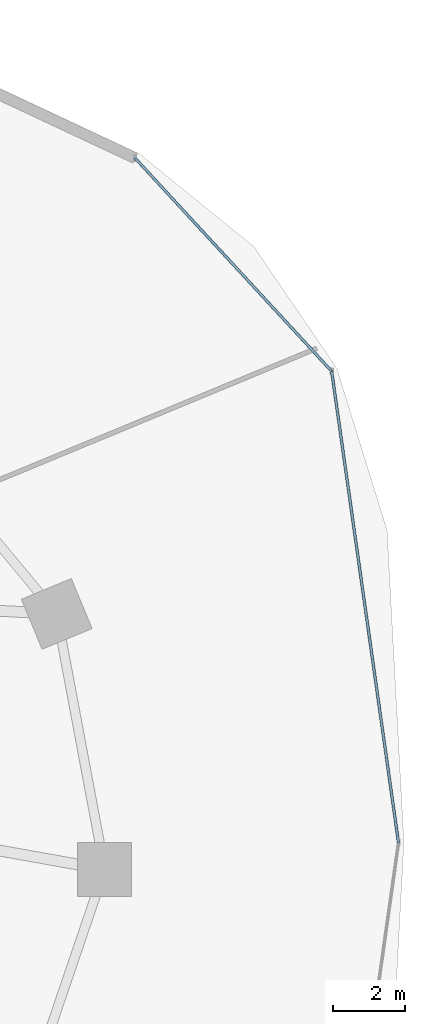
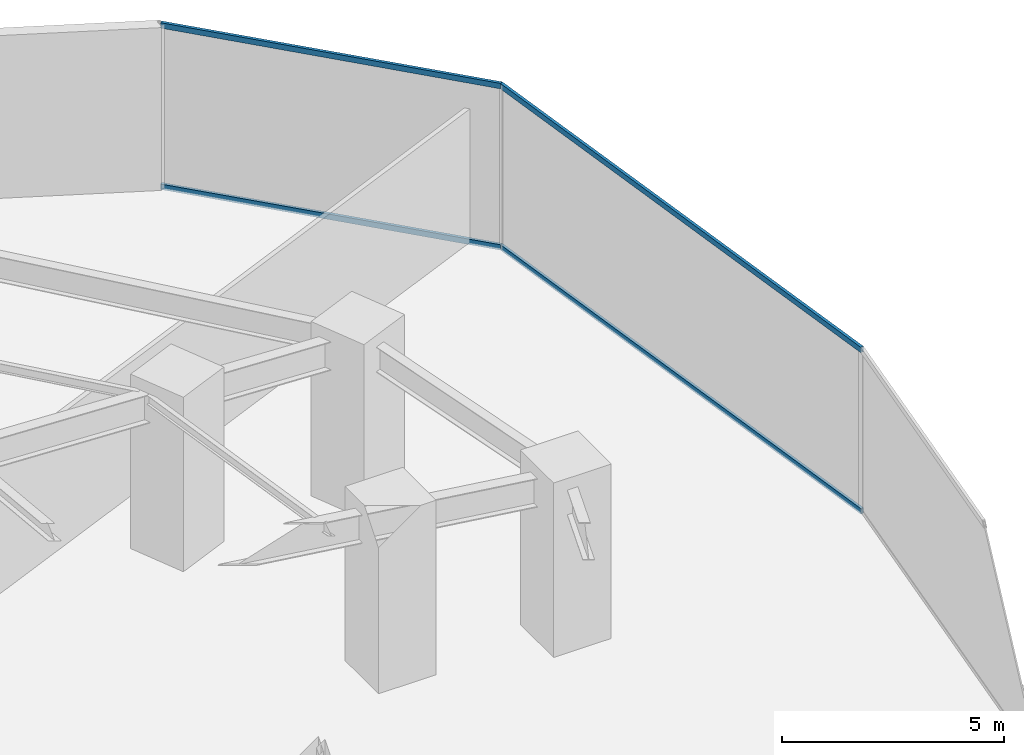
# One storey, part 19 of 27: 4 members, 1 element without a shape of its own.
"""IFC4 building model written with IfcOpenShell, lengths in metres."""

import ifcopenshell
import ifcopenshell.guid

model = None  # the IFC model being written
_history = None  # IfcOwnerHistory: only IFC2X3 demands one
_inside = {}  # id of a spatial element -> (the spatial element, [elements in it])
_under = {}  # id of a project, library or spatial element -> (it, [spatial elements below it])
_declared = {}  # id of a project -> (the project, [libraries it declares])
_typed = {}  # id of a type object -> (the type object, [elements of that type])
_made_of = {}  # id of a material, layer set ... -> (it, [elements and type objects made of it])


def new_model(schema):
    """Start an empty IFC model of exactly this schema.

    Asked for "IFC4X3", IfcOpenShell would pick the latest addendum, in which some entities
    have other attributes; the version numbers below select the first issue.
    IFC2X3 requires an IfcOwnerHistory on every rooted entity: one is made here for all.
    """
    global model, _history
    if schema == "IFC4X3":
        model = ifcopenshell.file(schema_version=(4, 3, 0, 0))
    else:
        model = ifcopenshell.file(schema=schema)
    _inside.clear()
    _under.clear()
    _declared.clear()
    _typed.clear()
    _made_of.clear()
    _history = None
    if model.schema == "IFC2X3":
        org = make("IfcOrganization", Name="unknown")
        user = make(
            "IfcPersonAndOrganization",
            ThePerson=make("IfcPerson", FamilyName="unknown"),
            TheOrganization=org,
        )
        app = make(
            "IfcApplication",
            ApplicationDeveloper=org,
            Version="unknown",
            ApplicationFullName="unknown",
            ApplicationIdentifier="unknown",
        )
        _history = make(
            "IfcOwnerHistory",
            OwningUser=user,
            OwningApplication=app,
            ChangeAction="ADDED",
            CreationDate=0,
        )
    return model


def make(cls, **values):
    """One entity of the class cls with the attributes given. An attribute that is None is left unset."""
    return model.create_entity(
        cls, **{name: value for name, value in values.items() if value is not None}
    )


def rooted(cls, **values):
    """An entity with a GlobalId (a new one), such as an element, a storey or a relation."""
    return make(cls, GlobalId=ifcopenshell.guid.new(), OwnerHistory=_history, **values)


def si_unit(unit_type, name, prefix=None):
    """IfcSIUnit, for example si_unit("LENGTHUNIT", "METRE", prefix="MILLI")."""
    return make("IfcSIUnit", UnitType=unit_type, Prefix=prefix, Name=name)


def assignment(units):
    """IfcUnitAssignment: the units of a project."""
    return None if units is None else make("IfcUnitAssignment", Units=units)


def point(xyz):
    """IfcCartesianPoint."""
    return None if xyz is None else make("IfcCartesianPoint", Coordinates=xyz)


def direction(xyz):
    """IfcDirection."""
    return None if xyz is None else make("IfcDirection", DirectionRatios=xyz)


def frame(location, z_axis=None, x_axis=None):
    """IfcAxis2Placement3D, a coordinate frame: its origin and axes. An axis left out is left unset."""
    return make(
        "IfcAxis2Placement3D",
        Location=point(location),
        Axis=direction(z_axis),
        RefDirection=direction(x_axis),
    )


def frame_2d(location, x_axis=None):
    """IfcAxis2Placement2D, a coordinate frame in the plane: its origin and x axis."""
    return make(
        "IfcAxis2Placement2D", Location=point(location), RefDirection=direction(x_axis)
    )


def origin():
    """The frame at (0, 0, 0) with its axes left unset."""
    return frame((0.0, 0.0, 0.0))


def origin_2d():
    """The frame at (0, 0) in the plane with its x axis left unset."""
    return frame_2d((0.0, 0.0))


def place(relative_to, where):
    """IfcLocalPlacement: puts the frame where relative to a parent placement (None: the world)."""
    return make(
        "IfcLocalPlacement", PlacementRelTo=relative_to, RelativePlacement=where
    )


def context(
    kind, dimensions, precision=None, world=None, true_north=None, identifier=None
):
    """IfcGeometricRepresentationContext, for example the 3D "Model" context."""
    return make(
        "IfcGeometricRepresentationContext",
        ContextIdentifier=identifier,
        ContextType=kind,
        CoordinateSpaceDimension=dimensions,
        Precision=precision,
        WorldCoordinateSystem=world,
        TrueNorth=true_north,
    )


def subcontext(parent, identifier, kind, view, scale=None):
    """IfcGeometricRepresentationSubContext, for example "Body" below "Model"."""
    return make(
        "IfcGeometricRepresentationSubContext",
        ContextIdentifier=identifier,
        ContextType=kind,
        ParentContext=parent,
        TargetScale=scale,
        TargetView=view,
    )


def project(units=None, contexts=None):
    """IfcProject with its units and contexts."""
    return rooted(
        "IfcProject",
        Name="project",
        RepresentationContexts=contexts,
        UnitsInContext=assignment(units),
    )


def spatial(cls, under=None, at=None, **own):
    """A site, building, storey or space (cls), placed at a placement, below another one or the project."""
    s = rooted(cls, ObjectPlacement=at, **own)
    if under is not None:
        _under.setdefault(under.id(), (under, []))[1].append(s)
    return s


def profile(cls, at=None, kind="AREA", **sizes):
    """A parametric profile (cls). Its sizes go by their IFC names, for example OverallWidth=200.0."""
    return make(cls, ProfileType=kind, Position=at, **sizes)


def hollow_rectangle(**sizes):
    """IfcRectangleHollowProfileDef."""
    return profile("IfcRectangleHollowProfileDef", **sizes)


def extrude(swept, where, along, depth):
    """IfcExtrudedAreaSolid: the profile swept, set in the frame where, extruded along a direction by depth."""
    return make(
        "IfcExtrudedAreaSolid",
        SweptArea=swept,
        Position=where,
        ExtrudedDirection=direction(along),
        Depth=depth,
    )


def shape(context_of_items, identifier, shape_type, items):
    """IfcShapeRepresentation: the items that make up one representation, for example the "Body"."""
    return make(
        "IfcShapeRepresentation",
        ContextOfItems=context_of_items,
        RepresentationIdentifier=identifier,
        RepresentationType=shape_type,
        Items=items,
    )


def material(Name=None, Category=None):
    """IfcMaterial."""
    return make("IfcMaterial", Name=Name, Category=Category)


def material_profile(
    of_material, cross_section, Name=None, Category=None, Priority=None
):
    """IfcMaterialProfile: a cross section and its material."""
    return make(
        "IfcMaterialProfile",
        Name=Name,
        Material=of_material,
        Profile=cross_section,
        Priority=Priority,
        Category=Category,
    )


def profile_set(profiles, Name=None, composite=None):
    """IfcMaterialProfileSet."""
    return make(
        "IfcMaterialProfileSet",
        Name=Name,
        MaterialProfiles=profiles,
        CompositeProfile=composite,
    )


def made_of(thing, what):
    """Note that an element or type object is made of a material, layer set ...; save() writes the relation."""
    if what is not None:
        _made_of.setdefault(what.id(), (what, []))[1].append(thing)
    return thing


def type_object(cls, material=None, **own):
    """A type object (cls), such as IfcWallType, which elements share."""
    return made_of(rooted(cls, **own), material)


def element(
    cls,
    number,
    at=None,
    inside=None,
    cuts=None,
    type_object=None,
    material=None,
    context=None,
    identifier="Body",
    shape_type=None,
    held_by="IfcProductDefinitionShape",
    body=None,
    shapes=None,
    **own,
):
    """One element of the class cls, such as IfcWall. Its Tag is "e" and its number.

    at: its placement. inside: the storey or other place that contains it. cuts: it is an
    opening in that element (IfcRelVoidsElement). A single representation is given by context,
    identifier, shape_type and body (its items); several are given by shapes. held_by: the class
    of the entity that holds the representations. save() writes the other relations.
    """
    e = rooted(cls, Tag="e%d" % number, ObjectPlacement=at, **own)
    if body is not None:
        shapes = [shape(context, identifier, shape_type, body)]
    if shapes is not None:
        e.Representation = make(held_by, Representations=shapes)
    if inside is not None:
        _inside.setdefault(inside.id(), (inside, []))[1].append(e)
    if cuts is not None:
        rooted(
            "IfcRelVoidsElement", RelatingBuildingElement=cuts, RelatedOpeningElement=e
        )
    if type_object is not None:
        _typed.setdefault(type_object.id(), (type_object, []))[1].append(e)
    return made_of(e, material)


def aggregate(whole, parts):
    """IfcRelAggregates: a whole, such as a stair, and the parts it consists of."""
    return rooted("IfcRelAggregates", RelatingObject=whole, RelatedObjects=parts)


def save(model, path):
    """Write the relations noted so far, then the file.

    IfcRelAggregates (storeys below a building ...), IfcRelContainedInSpatialStructure (elements
    in a storey), IfcRelDefinesByType, IfcRelAssociatesMaterial and IfcRelDeclares: one each for
    every whole, place, type object, material and project.
    """
    for whole, parts in _under.values():
        aggregate(whole, parts)
    for where, things in _inside.values():
        rooted(
            "IfcRelContainedInSpatialStructure",
            RelatedElements=things,
            RelatingStructure=where,
        )
    for kind, things in _typed.values():
        rooted("IfcRelDefinesByType", RelatedObjects=things, RelatingType=kind)
    for what, things in _made_of.values():
        rooted("IfcRelAssociatesMaterial", RelatedObjects=things, RelatingMaterial=what)
    for by, libraries in _declared.values():
        rooted("IfcRelDeclares", RelatingContext=by, RelatedDefinitions=libraries)
    model.write(path)


model = new_model("IFC4")

# Units and contexts
model_context = context("Model", 3, precision=1e-05, world=origin(), true_north=direction((0.0, 1.0)))
body_context = subcontext(model_context, "Body", "Model", "MODEL_VIEW")
ifc_project = project(units=[si_unit("LENGTHUNIT", "METRE"), si_unit("AREAUNIT", "SQUARE_METRE"), si_unit("VOLUMEUNIT", "CUBIC_METRE"), si_unit("PLANEANGLEUNIT", "RADIAN"), si_unit("MASSUNIT", "GRAM", prefix="KILO")], contexts=[model_context])

# Site, building, storey
site_placement = place(None, origin())
site = spatial("IfcSite", under=ifc_project, at=site_placement, CompositionType="ELEMENT")
building_placement = place(site_placement, origin())
building = spatial("IfcBuilding", under=site, at=building_placement, Name="Vorneva Point Tower", CompositionType="ELEMENT")
storey_placement = place(building_placement, frame((0.0, 0.0, 4.800048828125)))
storey = spatial("IfcBuildingStorey", under=building, at=storey_placement, Name="L01", CompositionType="ELEMENT", Elevation=4.800048828125)

# Curtain wall, members
ifc_material = material(Name="Pale anodised aluminium", Category="aluminium")
curtain_wall_type = type_object("IfcCurtainWallType", Name="CW-POD-SYS", PredefinedType="NOTDEFINED", material=ifc_material)
curtain_wall_placement = place(storey_placement, origin())
curtain_wall = element("IfcCurtainWall", 1, at=curtain_wall_placement, inside=storey, type_object=curtain_wall_type, Name="L01 Unitised Curtain Wall CW-L01-R01", PredefinedType="NOTDEFINED")
ifc_material_profile = material_profile(ifc_material, hollow_rectangle(XDim=0.074951171875, YDim=0.14990234375, WallThickness=0.00390625, at=origin_2d()), Name="AL-TRN 150x75x4")
ifc_profile_set = profile_set([ifc_material_profile], Name="Pale anodised aluminium")
member_type = type_object("IfcMemberType", Name="CW-TRN-150", PredefinedType="USERDEFINED", material=ifc_profile_set)
member_1_placement = place(storey_placement, frame((73.322021484375, 26.0, 0.02001953125), z_axis=(-0.140345678, 0.990102565731, 0.0), x_axis=(-0.990102565731, -0.140345678, 0.0)))
member_1 = element("IfcMember", 2, at=member_1_placement, type_object=member_type, Name="CW-L01-R01 Transom 02.1", ObjectType="TRANSOM", PredefinedType="USERDEFINED", context=body_context, shape_type="SweptSolid", body=[
    extrude(hollow_rectangle(XDim=0.074951171875, YDim=0.14990234375, WallThickness=0.00390625, at=origin_2d()), origin(), (0.0, 0.0, 1.0), 13.187744140625),
])
member_2_placement = place(storey_placement, frame((73.322021484375, 26.0, 4.4599609375), z_axis=(-0.140345678, 0.990102565731, 0.0), x_axis=(-0.990102565731, -0.140345678, 0.0)))
member_2 = element("IfcMember", 3, at=member_2_placement, type_object=member_type, Name="CW-L01-R01 Transom 02.2", ObjectType="TRANSOM", PredefinedType="USERDEFINED", context=body_context, shape_type="SweptSolid", body=[
    extrude(hollow_rectangle(XDim=0.074951171875, YDim=0.14990234375, WallThickness=0.00390625, at=origin_2d()), origin(), (0.0, 0.0, 1.0), 13.187744140625),
])
member_3_placement = place(storey_placement, frame((71.47119140625, 39.05712890625, 0.02001953125), z_axis=(-0.678065555529, 0.735001430207, 0.0), x_axis=(-0.735001430207, -0.678065555529, 0.0)))
member_3 = element("IfcMember", 4, at=member_3_placement, type_object=member_type, Name="CW-L01-R01 Transom 03.1", ObjectType="TRANSOM", PredefinedType="USERDEFINED", context=body_context, shape_type="SweptSolid", body=[
    extrude(hollow_rectangle(XDim=0.074951171875, YDim=0.14990234375, WallThickness=0.00390625, at=origin_2d()), origin(), (0.0, 0.0, 1.0), 8.03564453125),
])
member_4_placement = place(storey_placement, frame((71.47119140625, 39.05712890625, 4.4599609375), z_axis=(-0.678065555529, 0.735001430207, 0.0), x_axis=(-0.735001430207, -0.678065555529, 0.0)))
member_4 = element("IfcMember", 5, at=member_4_placement, type_object=member_type, Name="CW-L01-R01 Transom 03.2", ObjectType="TRANSOM", PredefinedType="USERDEFINED", context=body_context, shape_type="SweptSolid", body=[
    extrude(hollow_rectangle(XDim=0.074951171875, YDim=0.14990234375, WallThickness=0.00390625, at=origin_2d()), origin(), (0.0, 0.0, 1.0), 8.03564453125),
])
aggregate(curtain_wall, [member_1, member_2, member_3, member_4])

save(model, "model.ifc")
